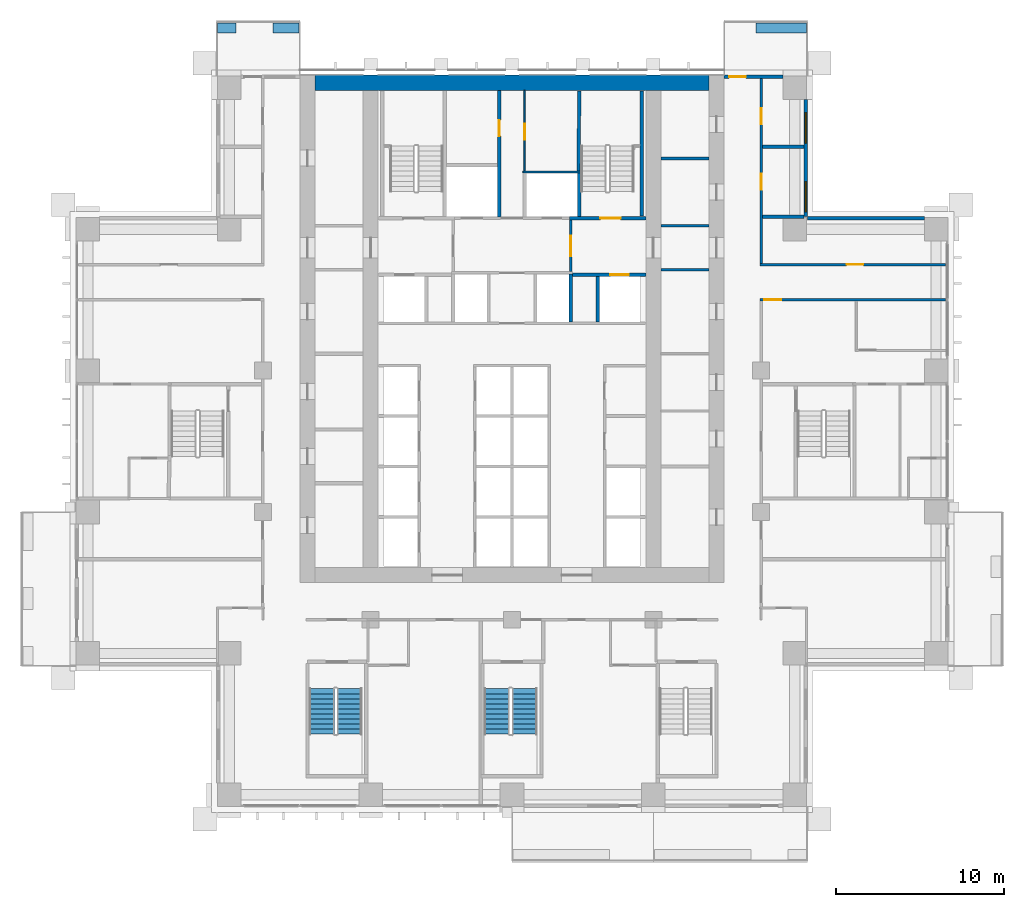
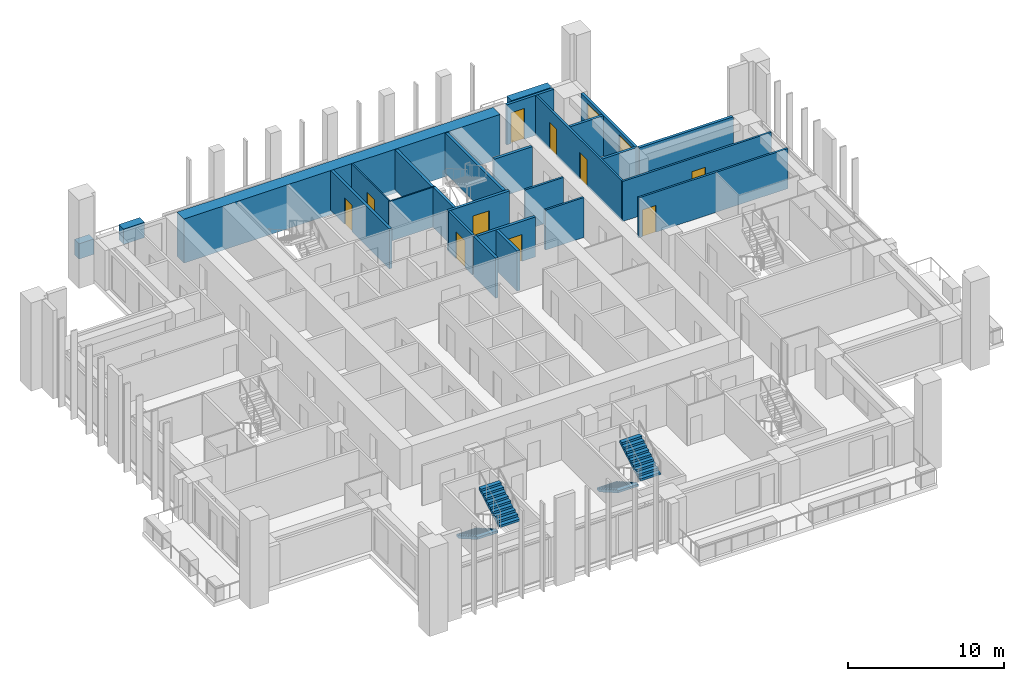
# One storey, part 13 of 19: 26 walls, 10 doors, 4 stair flights, 2 windows, 12 openings, 2 elements without a shape of their own.
"""IFC4 building model written with IfcOpenShell, lengths in metres."""

import ifcopenshell
import ifcopenshell.guid

model = None  # the IFC model being written
_history = None  # IfcOwnerHistory: only IFC2X3 demands one
_inside = {}  # id of a spatial element -> (the spatial element, [elements in it])
_under = {}  # id of a project, library or spatial element -> (it, [spatial elements below it])
_declared = {}  # id of a project -> (the project, [libraries it declares])
_typed = {}  # id of a type object -> (the type object, [elements of that type])
_made_of = {}  # id of a material, layer set ... -> (it, [elements and type objects made of it])


def new_model(schema):
    """Start an empty IFC model of exactly this schema.

    Asked for "IFC4X3", IfcOpenShell would pick the latest addendum, in which some entities
    have other attributes; the version numbers below select the first issue.
    IFC2X3 requires an IfcOwnerHistory on every rooted entity: one is made here for all.
    """
    global model, _history
    if schema == "IFC4X3":
        model = ifcopenshell.file(schema_version=(4, 3, 0, 0))
    else:
        model = ifcopenshell.file(schema=schema)
    _inside.clear()
    _under.clear()
    _declared.clear()
    _typed.clear()
    _made_of.clear()
    _history = None
    if model.schema == "IFC2X3":
        org = make("IfcOrganization", Name="unknown")
        user = make(
            "IfcPersonAndOrganization",
            ThePerson=make("IfcPerson", FamilyName="unknown"),
            TheOrganization=org,
        )
        app = make(
            "IfcApplication",
            ApplicationDeveloper=org,
            Version="unknown",
            ApplicationFullName="unknown",
            ApplicationIdentifier="unknown",
        )
        _history = make(
            "IfcOwnerHistory",
            OwningUser=user,
            OwningApplication=app,
            ChangeAction="ADDED",
            CreationDate=0,
        )
    return model


def make(cls, **values):
    """One entity of the class cls with the attributes given. An attribute that is None is left unset."""
    return model.create_entity(
        cls, **{name: value for name, value in values.items() if value is not None}
    )


def rooted(cls, **values):
    """An entity with a GlobalId (a new one), such as an element, a storey or a relation."""
    return make(cls, GlobalId=ifcopenshell.guid.new(), OwnerHistory=_history, **values)


def si_unit(unit_type, name, prefix=None):
    """IfcSIUnit, for example si_unit("LENGTHUNIT", "METRE", prefix="MILLI")."""
    return make("IfcSIUnit", UnitType=unit_type, Prefix=prefix, Name=name)


def assignment(units):
    """IfcUnitAssignment: the units of a project."""
    return None if units is None else make("IfcUnitAssignment", Units=units)


def point(xyz):
    """IfcCartesianPoint."""
    return None if xyz is None else make("IfcCartesianPoint", Coordinates=xyz)


def direction(xyz):
    """IfcDirection."""
    return None if xyz is None else make("IfcDirection", DirectionRatios=xyz)


def frame(location, z_axis=None, x_axis=None):
    """IfcAxis2Placement3D, a coordinate frame: its origin and axes. An axis left out is left unset."""
    return make(
        "IfcAxis2Placement3D",
        Location=point(location),
        Axis=direction(z_axis),
        RefDirection=direction(x_axis),
    )


def frame_2d(location, x_axis=None):
    """IfcAxis2Placement2D, a coordinate frame in the plane: its origin and x axis."""
    return make(
        "IfcAxis2Placement2D", Location=point(location), RefDirection=direction(x_axis)
    )


def origin():
    """The frame at (0, 0, 0) with its axes left unset."""
    return frame((0.0, 0.0, 0.0))


def place(relative_to, where):
    """IfcLocalPlacement: puts the frame where relative to a parent placement (None: the world)."""
    return make(
        "IfcLocalPlacement", PlacementRelTo=relative_to, RelativePlacement=where
    )


def context(
    kind, dimensions, precision=None, world=None, true_north=None, identifier=None
):
    """IfcGeometricRepresentationContext, for example the 3D "Model" context."""
    return make(
        "IfcGeometricRepresentationContext",
        ContextIdentifier=identifier,
        ContextType=kind,
        CoordinateSpaceDimension=dimensions,
        Precision=precision,
        WorldCoordinateSystem=world,
        TrueNorth=true_north,
    )


def subcontext(parent, identifier, kind, view, scale=None):
    """IfcGeometricRepresentationSubContext, for example "Body" below "Model"."""
    return make(
        "IfcGeometricRepresentationSubContext",
        ContextIdentifier=identifier,
        ContextType=kind,
        ParentContext=parent,
        TargetScale=scale,
        TargetView=view,
    )


def project(units=None, contexts=None):
    """IfcProject with its units and contexts."""
    return rooted(
        "IfcProject",
        Name="project",
        RepresentationContexts=contexts,
        UnitsInContext=assignment(units),
    )


def spatial(cls, under=None, at=None, **own):
    """A site, building, storey or space (cls), placed at a placement, below another one or the project."""
    s = rooted(cls, ObjectPlacement=at, **own)
    if under is not None:
        _under.setdefault(under.id(), (under, []))[1].append(s)
    return s


def polyline(points):
    """IfcPolyline through the points."""
    return make("IfcPolyline", Points=[point(p) for p in points])


def profile(cls, at=None, kind="AREA", **sizes):
    """A parametric profile (cls). Its sizes go by their IFC names, for example OverallWidth=200.0."""
    return make(cls, ProfileType=kind, Position=at, **sizes)


def rectangle(**sizes):
    """IfcRectangleProfileDef."""
    return profile("IfcRectangleProfileDef", **sizes)


def outline(outer, holes=None, kind="AREA"):
    """IfcArbitraryClosedProfileDef: a profile drawn as a closed curve; with holes, ...WithVoids."""
    if holes is None:
        return make("IfcArbitraryClosedProfileDef", ProfileType=kind, OuterCurve=outer)
    return make(
        "IfcArbitraryProfileDefWithVoids",
        ProfileType=kind,
        OuterCurve=outer,
        InnerCurves=holes,
    )


def extrude(swept, where, along, depth):
    """IfcExtrudedAreaSolid: the profile swept, set in the frame where, extruded along a direction by depth."""
    return make(
        "IfcExtrudedAreaSolid",
        SweptArea=swept,
        Position=where,
        ExtrudedDirection=direction(along),
        Depth=depth,
    )


def shape(context_of_items, identifier, shape_type, items):
    """IfcShapeRepresentation: the items that make up one representation, for example the "Body"."""
    return make(
        "IfcShapeRepresentation",
        ContextOfItems=context_of_items,
        RepresentationIdentifier=identifier,
        RepresentationType=shape_type,
        Items=items,
    )


def material(Name=None, Category=None):
    """IfcMaterial."""
    return make("IfcMaterial", Name=Name, Category=Category)


def layer(
    of_material, thickness, ventilated=None, Name=None, Category=None, Priority=None
):
    """IfcMaterialLayer: one layer of a wall or slab, of a material (None: an air gap)."""
    return make(
        "IfcMaterialLayer",
        Material=of_material,
        LayerThickness=thickness,
        IsVentilated=ventilated,
        Name=Name,
        Category=Category,
        Priority=Priority,
    )


def layer_set(layers, Name=None):
    """IfcMaterialLayerSet."""
    return make("IfcMaterialLayerSet", MaterialLayers=layers, LayerSetName=Name)


def made_of(thing, what):
    """Note that an element or type object is made of a material, layer set ...; save() writes the relation."""
    if what is not None:
        _made_of.setdefault(what.id(), (what, []))[1].append(thing)
    return thing


def type_object(cls, material=None, **own):
    """A type object (cls), such as IfcWallType, which elements share."""
    return made_of(rooted(cls, **own), material)


def element(
    cls,
    number,
    at=None,
    inside=None,
    cuts=None,
    type_object=None,
    material=None,
    context=None,
    identifier="Body",
    shape_type=None,
    held_by="IfcProductDefinitionShape",
    body=None,
    shapes=None,
    **own,
):
    """One element of the class cls, such as IfcWall. Its Tag is "e" and its number.

    at: its placement. inside: the storey or other place that contains it. cuts: it is an
    opening in that element (IfcRelVoidsElement). A single representation is given by context,
    identifier, shape_type and body (its items); several are given by shapes. held_by: the class
    of the entity that holds the representations. save() writes the other relations.
    """
    e = rooted(cls, Tag="e%d" % number, ObjectPlacement=at, **own)
    if body is not None:
        shapes = [shape(context, identifier, shape_type, body)]
    if shapes is not None:
        e.Representation = make(held_by, Representations=shapes)
    if inside is not None:
        _inside.setdefault(inside.id(), (inside, []))[1].append(e)
    if cuts is not None:
        rooted(
            "IfcRelVoidsElement", RelatingBuildingElement=cuts, RelatedOpeningElement=e
        )
    if type_object is not None:
        _typed.setdefault(type_object.id(), (type_object, []))[1].append(e)
    return made_of(e, material)


def fill(opening, filler):
    """IfcRelFillsElement: the door or window that sits in an opening."""
    return rooted(
        "IfcRelFillsElement",
        RelatingOpeningElement=opening,
        RelatedBuildingElement=filler,
    )


def aggregate(whole, parts):
    """IfcRelAggregates: a whole, such as a stair, and the parts it consists of."""
    return rooted("IfcRelAggregates", RelatingObject=whole, RelatedObjects=parts)


def save(model, path):
    """Write the relations noted so far, then the file.

    IfcRelAggregates (storeys below a building ...), IfcRelContainedInSpatialStructure (elements
    in a storey), IfcRelDefinesByType, IfcRelAssociatesMaterial and IfcRelDeclares: one each for
    every whole, place, type object, material and project.
    """
    for whole, parts in _under.values():
        aggregate(whole, parts)
    for where, things in _inside.values():
        rooted(
            "IfcRelContainedInSpatialStructure",
            RelatedElements=things,
            RelatingStructure=where,
        )
    for kind, things in _typed.values():
        rooted("IfcRelDefinesByType", RelatedObjects=things, RelatingType=kind)
    for what, things in _made_of.values():
        rooted("IfcRelAssociatesMaterial", RelatedObjects=things, RelatingMaterial=what)
    for by, libraries in _declared.values():
        rooted("IfcRelDeclares", RelatingContext=by, RelatedDefinitions=libraries)
    model.write(path)


model = new_model("IFC4")

# Units and contexts
model_context = context("Model", 3, precision=1e-05, world=origin(), true_north=direction((0.0, 1.0)))
body_context = subcontext(model_context, "Body", "Model", "MODEL_VIEW")
ifc_project = project(units=[si_unit("LENGTHUNIT", "METRE"), si_unit("AREAUNIT", "SQUARE_METRE"), si_unit("VOLUMEUNIT", "CUBIC_METRE"), si_unit("PLANEANGLEUNIT", "RADIAN"), si_unit("MASSUNIT", "GRAM", prefix="KILO")], contexts=[model_context])

# Site, building, storey
site_placement = place(None, origin())
site = spatial("IfcSite", under=ifc_project, at=site_placement, CompositionType="ELEMENT")
building_placement = place(site_placement, origin())
building = spatial("IfcBuilding", under=site, at=building_placement, Name="Vermilion Ogive Tower", CompositionType="ELEMENT")
storey_placement = place(building_placement, frame((0.0, 0.0, 62.10009765625)))
storey = spatial("IfcBuildingStorey", under=building, at=storey_placement, Name="L14", CompositionType="ELEMENT", Elevation=62.10009765625)

# Wall
ifc_material_1 = material(Name="Gypsum board partition on steel studs", Category="steel")
ifc_layer_1 = layer(ifc_material_1, 0.10009765625)
ifc_layer_set_1 = layer_set([ifc_layer_1], Name="Partition 100 bath")
wall_type_1 = type_object("IfcWallType", Name="Partition 100 bath", PredefinedType="PARTITIONING", material=ifc_layer_set_1)
wall_1_placement = place(storey_placement, frame((0.64990234375, 16.0, 0.0), z_axis=(0.0, 0.0, 1.0), x_axis=(1.0, 0.0, 0.0)))
element("IfcWall", 1, at=wall_1_placement, inside=storey, type_object=wall_type_1, Name="L14-CK-W-W020", PredefinedType="PARTITIONING", context=body_context, shape_type="SweptSolid", body=[
    extrude(rectangle(XDim=3.4501953125, YDim=0.10009765625, at=frame_2d((1.72509765625, 0.0))), origin(), (0.0, 0.0, 1.0), 3.1298828125),
])

# Wall, opening, door
wall_2_placement = place(storey_placement, frame((0.75, 16.050048828125, 0.0), z_axis=(0.0, 0.0, 1.0), x_axis=(0.0, 1.0, 0.0)))
wall_2 = element("IfcWall", 2, at=wall_2_placement, inside=storey, type_object=wall_type_1, Name="L14-CK-W-W032", PredefinedType="PARTITIONING", context=body_context, shape_type="SweptSolid", body=[
    extrude(rectangle(XDim=4.799072265625, YDim=0.10009765625, at=frame_2d((2.3994140625, 0.0))), origin(), (0.0, 0.0, 1.0), 3.1298828125),
])
opening_1_placement = place(wall_2_placement, frame((1.875, 0.0, 0.0)))
opening_1 = element("IfcOpeningElement", 3, at=opening_1_placement, cuts=wall_2, Name="Opening DAA099", PredefinedType="OPENING", context=body_context, shape_type="SweptSolid", body=[
    extrude(rectangle(XDim=0.949951171875, YDim=2.10009765625, at=frame_2d((0.47509765625, 1.050048828125))), frame((0.0, 0.06005859375, 0.0), z_axis=(0.0, -1.0, 0.0), x_axis=(1.0, 0.0, 0.0)), (0.0, 0.0, 1.0), 0.1201171875),
])
ifc_material_2 = material(Name="Timber door leaf", Category="wood")
door_type_1 = type_object("IfcDoorType", Name="Service door 950 x 2100 FD60", OperationType="SINGLE_SWING_LEFT", PredefinedType="DOOR", material=ifc_material_2)
door_1_placement = place(opening_1_placement, origin())
door_1 = element("IfcDoor", 4, at=door_1_placement, inside=storey, type_object=door_type_1, Name="L14-CK-D-D021", OperationType="SINGLE_SWING_LEFT", OverallHeight=2.10009765625, OverallWidth=0.949951171875, PredefinedType="DOOR", context=body_context, shape_type="SweptSolid", body=[
    extrude(rectangle(XDim=0.949951171875, YDim=2.10009765625, at=frame_2d((0.47509765625, 1.050048828125))), frame((0.0, 0.02490234375, 0.0), z_axis=(0.0, -1.0, 0.0), x_axis=(1.0, 0.0, 0.0)), (0.0, 0.0, 1.0), 0.050048828125),
])
fill(opening_1, door_1)

ifc_material_3 = material(Name="Gypsum board partition on steel studs", Category="steel")
ifc_layer_2 = layer(ifc_material_3, 0.14990234375)
ifc_layer_set_2 = layer_set([ifc_layer_2], Name="Partition 150 corridor")
wall_type_2 = type_object("IfcWallType", Name="Partition 150 corridor", PredefinedType="PARTITIONING", material=ifc_layer_set_2)
wall_3_placement = place(storey_placement, frame((14.72509765625, 8.39990234375, 0.0), z_axis=(0.0, 0.0, 1.0), x_axis=(1.0, 0.0, 0.0)))
wall_3 = element("IfcWall", 5, at=wall_3_placement, inside=storey, type_object=wall_type_2, Name="L14-W-W029", PredefinedType="PARTITIONING", context=body_context, shape_type="SweptSolid", body=[
    extrude(rectangle(XDim=11.02490234375, YDim=0.14990234375, at=frame_2d((5.512451171875, 0.0))), origin(), (0.0, 0.0, 1.0), 3.1298828125),
])
opening_2_placement = place(wall_3_placement, frame((0.27490234375, 0.0, 0.0)))
opening_2 = element("IfcOpeningElement", 6, at=opening_2_placement, cuts=wall_3, Name="Opening D1G5016", PredefinedType="OPENING", context=body_context, shape_type="SweptSolid", body=[
    extrude(rectangle(XDim=1.0, YDim=2.10009765625, at=frame_2d((0.5, 1.050048828125))), frame((0.0, 0.0849609375, 0.0), z_axis=(0.0, -1.0, 0.0), x_axis=(1.0, 0.0, 0.0)), (0.0, 0.0, 1.0), 0.169921875),
])
ifc_material_4 = material(Name="Timber door leaf", Category="wood")
door_type_2 = type_object("IfcDoorType", Name="Unit door 1000 x 2100 FD30S", OperationType="SINGLE_SWING_LEFT", PredefinedType="DOOR", material=ifc_material_4)
door_2_placement = place(opening_2_placement, origin())
door_2 = element("IfcDoor", 7, at=door_2_placement, inside=storey, type_object=door_type_2, Name="L14-D-D016", OperationType="SINGLE_SWING_RIGHT", OverallHeight=2.10009765625, OverallWidth=1.0, PredefinedType="DOOR", context=body_context, shape_type="SweptSolid", body=[
    extrude(rectangle(XDim=1.0, YDim=2.10009765625, at=frame_2d((0.5, 1.050048828125))), frame((0.0, 0.02490234375, 0.0), z_axis=(0.0, -1.0, 0.0), x_axis=(1.0, 0.0, 0.0)), (0.0, 0.0, 1.0), 0.050048828125),
])
fill(opening_2, door_2)

wall_4_placement = place(storey_placement, frame((14.72509765625, 10.5, 0.0), z_axis=(0.0, 0.0, 1.0), x_axis=(1.0, 0.0, 0.0)))
wall_4 = element("IfcWall", 8, at=wall_4_placement, inside=storey, type_object=wall_type_2, Name="L14-W-W031", PredefinedType="PARTITIONING", context=body_context, shape_type="SweptSolid", body=[
    extrude(rectangle(XDim=11.02490234375, YDim=0.14990234375, at=frame_2d((5.512451171875, 0.0))), origin(), (0.0, 0.0, 1.0), 3.1298828125),
])
opening_3_placement = place(wall_4_placement, frame((5.14990234375, 0.0, 0.0)))
opening_3 = element("IfcOpeningElement", 9, at=opening_3_placement, cuts=wall_4, Name="Opening D1G5034", PredefinedType="OPENING", context=body_context, shape_type="SweptSolid", body=[
    extrude(rectangle(XDim=1.0, YDim=2.10009765625, at=frame_2d((0.5, 1.050048828125))), frame((0.0, 0.0849609375, 0.0), z_axis=(0.0, -1.0, 0.0), x_axis=(1.0, 0.0, 0.0)), (0.0, 0.0, 1.0), 0.169921875),
])
door_3_placement = place(opening_3_placement, origin())
door_3 = element("IfcDoor", 10, at=door_3_placement, inside=storey, type_object=door_type_2, Name="L14-D-D034", OperationType="SINGLE_SWING_RIGHT", OverallHeight=2.10009765625, OverallWidth=1.0, PredefinedType="DOOR", context=body_context, shape_type="SweptSolid", body=[
    extrude(rectangle(XDim=1.0, YDim=2.10009765625, at=frame_2d((0.5, 1.050048828125))), frame((0.0, 0.02490234375, 0.0), z_axis=(0.0, -1.0, 0.0), x_axis=(1.0, 0.0, 0.0)), (0.0, 0.0, 1.0), 0.050048828125),
])
fill(opening_3, door_3)

# Wall, openings, doors
wall_5_placement = place(storey_placement, frame((14.800048828125, 10.574951171875, 0.0), z_axis=(0.0, 0.0, 1.0), x_axis=(0.0, 1.0, 0.0)))
wall_5 = element("IfcWall", 11, at=wall_5_placement, inside=storey, type_object=wall_type_2, Name="L14-W-W054", PredefinedType="PARTITIONING", context=body_context, shape_type="SweptSolid", body=[
    extrude(rectangle(XDim=10.97509765625, YDim=0.14990234375, at=frame_2d((5.487548828125, 0.0))), origin(), (0.0, 0.0, 1.0), 3.1298828125),
])
opening_4_placement = place(wall_5_placement, frame((4.375, 0.0, 0.0)))
opening_4 = element("IfcOpeningElement", 12, at=opening_4_placement, cuts=wall_5, Name="Opening D1G5019", PredefinedType="OPENING", context=body_context, shape_type="SweptSolid", body=[
    extrude(rectangle(XDim=0.949951171875, YDim=2.10009765625, at=frame_2d((0.47509765625, 1.050048828125))), frame((0.0, 0.0849609375, 0.0), z_axis=(0.0, -1.0, 0.0), x_axis=(1.0, 0.0, 0.0)), (0.0, 0.0, 1.0), 0.169921875),
])
opening_5_placement = place(wall_5_placement, frame((8.275146484375, 0.0, 0.0)))
opening_5 = element("IfcOpeningElement", 13, at=opening_5_placement, cuts=wall_5, Name="Opening D1G5020", PredefinedType="OPENING", context=body_context, shape_type="SweptSolid", body=[
    extrude(rectangle(XDim=0.949951171875, YDim=2.10009765625, at=frame_2d((0.47509765625, 1.050048828125))), frame((0.0, 0.0849609375, 0.0), z_axis=(0.0, -1.0, 0.0), x_axis=(1.0, 0.0, 0.0)), (0.0, 0.0, 1.0), 0.169921875),
])
ifc_material_5 = material(Name="Timber door leaf", Category="wood")
door_type_3 = type_object("IfcDoorType", Name="Unit door 950 x 2100 FD30S", OperationType="SINGLE_SWING_LEFT", PredefinedType="DOOR", material=ifc_material_5)
door_4_placement = place(opening_4_placement, origin())
door_4 = element("IfcDoor", 14, at=door_4_placement, inside=storey, type_object=door_type_3, Name="L14-D-D019", OperationType="SINGLE_SWING_RIGHT", OverallHeight=2.10009765625, OverallWidth=0.949951171875, PredefinedType="DOOR", context=body_context, shape_type="SweptSolid", body=[
    extrude(rectangle(XDim=0.949951171875, YDim=2.10009765625, at=frame_2d((0.47509765625, 1.050048828125))), frame((0.0, 0.02490234375, 0.0), z_axis=(0.0, -1.0, 0.0), x_axis=(1.0, 0.0, 0.0)), (0.0, 0.0, 1.0), 0.050048828125),
])
fill(opening_4, door_4)
door_5_placement = place(opening_5_placement, origin())
door_5 = element("IfcDoor", 15, at=door_5_placement, inside=storey, type_object=door_type_3, Name="L14-D-D020", OperationType="SINGLE_SWING_LEFT", OverallHeight=2.10009765625, OverallWidth=0.949951171875, PredefinedType="DOOR", context=body_context, shape_type="SweptSolid", body=[
    extrude(rectangle(XDim=0.949951171875, YDim=2.10009765625, at=frame_2d((0.47509765625, 1.050048828125))), frame((0.0, 0.02490234375, 0.0), z_axis=(0.0, -1.0, 0.0), x_axis=(1.0, 0.0, 0.0)), (0.0, 0.0, 1.0), 0.050048828125),
])
fill(opening_5, door_5)

# Wall, opening, door
wall_6_placement = place(storey_placement, frame((3.5, 10.074951171875, 0.0), z_axis=(0.0, 0.0, 1.0), x_axis=(0.0, 1.0, 0.0)))
wall_6 = element("IfcWall", 16, at=wall_6_placement, inside=storey, type_object=wall_type_2, Name="L14-CK-W-W036", PredefinedType="PARTITIONING", context=body_context, shape_type="SweptSolid", body=[
    extrude(rectangle(XDim=3.074951171875, YDim=0.14990234375, at=frame_2d((1.53759765625, 0.0))), origin(), (0.0, 0.0, 1.0), 3.1298828125),
])
opening_6_placement = place(wall_6_placement, frame((0.925048828125, 0.0, 0.0)))
opening_6 = element("IfcOpeningElement", 17, at=opening_6_placement, cuts=wall_6, Name="Opening DAA092", PredefinedType="OPENING", context=body_context, shape_type="SweptSolid", body=[
    extrude(rectangle(XDim=1.199951171875, YDim=2.10009765625, at=frame_2d((0.60009765625, 1.050048828125))), frame((0.0, 0.0849609375, 0.0), z_axis=(0.0, -1.0, 0.0), x_axis=(1.0, 0.0, 0.0)), (0.0, 0.0, 1.0), 0.169921875),
])
ifc_material_6 = material(Name="Timber door leaf", Category="wood")
door_type_4 = type_object("IfcDoorType", Name="Lobby door 1200 x 2100 FD60S", OperationType="SINGLE_SWING_LEFT", PredefinedType="DOOR", material=ifc_material_6)
door_6_placement = place(opening_6_placement, origin())
door_6 = element("IfcDoor", 18, at=door_6_placement, inside=storey, type_object=door_type_4, Name="L14-CK-D-D023", OperationType="SINGLE_SWING_LEFT", OverallHeight=2.10009765625, OverallWidth=1.199951171875, PredefinedType="DOOR", context=body_context, shape_type="SweptSolid", body=[
    extrude(rectangle(XDim=1.199951171875, YDim=2.10009765625, at=frame_2d((0.60009765625, 1.050048828125))), frame((0.0, 0.02490234375, 0.0), z_axis=(0.0, -1.0, 0.0), x_axis=(1.0, 0.0, 0.0)), (0.0, 0.0, 1.0), 0.050048828125),
])
fill(opening_6, door_6)

# Walls
for number, where, z_axis, x_axis, name in (
    (19, (8.85107421875, 10.199951171875, 0.0), (0.0, 0.0, 1.0), (1.0, 0.0, 0.0), "L14-CKE-W-W004"),
    (20, (8.85107421875, 12.800048828125, 0.0), (0.0, 0.0, 1.0), (1.0, 0.0, 0.0), "L14-CKE-W-W005"),
):
    element("IfcWall", number, at=place(storey_placement, frame(where, z_axis=z_axis, x_axis=x_axis)), inside=storey, type_object=wall_type_2, Name=name, PredefinedType="PARTITIONING", context=body_context, shape_type="SweptSolid", body=[
        extrude(rectangle(XDim=2.847900390625, YDim=0.14990234375, at=frame_2d((1.423828125, 0.0))), origin(), (0.0, 0.0, 1.0), 3.1298828125),
    ])
ifc_material_7 = material(Name="Gypsum board partition on steel studs", Category="steel")
ifc_layer_3 = layer(ifc_material_7, 0.199951171875)
ifc_layer_set_3 = layer_set([ifc_layer_3], Name="Partition 200 party")
wall_type_3 = type_object("IfcWallType", Name="Partition 200 party", PredefinedType="PARTITIONING", material=ifc_layer_set_3)
for number, where, z_axis, x_axis, name in (
    (21, (14.875, 13.35009765625, 0.0), (0.0, 0.0, 1.0), (1.0, 0.0, 0.0), "L14-W-W033"),
    (22, (14.875, 17.5, 0.0), (0.0, 0.0, 1.0), (1.0, 0.0, 0.0), "L14-W-W035"),
):
    element("IfcWall", number, at=place(storey_placement, frame(where, z_axis=z_axis, x_axis=x_axis)), inside=storey, type_object=wall_type_3, Name=name, PredefinedType="PARTITIONING", context=body_context, shape_type="SweptSolid", body=[
        extrude(rectangle(XDim=2.47509765625, YDim=0.199951171875, at=frame_2d((1.237548828125, 0.0))), origin(), (0.0, 0.0, 1.0), 3.1298828125),
    ])

# Wall, opening, door
wall_7_placement = place(storey_placement, frame((3.60009765625, 9.89990234375, 0.0), z_axis=(0.0, 0.0, 1.0), x_axis=(1.0, 0.0, 0.0)))
wall_7 = element("IfcWall", 23, at=wall_7_placement, inside=storey, type_object=wall_type_3, Name="L14-CK-W-W015", PredefinedType="PARTITIONING", context=body_context, shape_type="SweptSolid", body=[
    extrude(rectangle(XDim=4.348876953125, YDim=0.199951171875, at=frame_2d((2.17431640625, 0.0))), origin(), (0.0, 0.0, 1.0), 3.1298828125),
])
opening_7_placement = place(wall_7_placement, frame((2.25, 0.0, 0.0)))
opening_7 = element("IfcOpeningElement", 24, at=opening_7_placement, cuts=wall_7, Name="Opening DAA103", PredefinedType="OPENING", context=body_context, shape_type="SweptSolid", body=[
    extrude(rectangle(XDim=1.10009765625, YDim=2.10009765625, at=frame_2d((0.550048828125, 1.050048828125))), frame((0.0, 0.10986328125, 0.0), z_axis=(0.0, -1.0, 0.0), x_axis=(1.0, 0.0, 0.0)), (0.0, 0.0, 1.0), 0.219970703125),
])
ifc_material_8 = material(Name="Stainless steel", Category="steel")
door_type_5 = type_object("IfcDoorType", Name="Lift landing door 1100 x 2100", OperationType="SLIDING_TO_LEFT", PredefinedType="DOOR", material=ifc_material_8)
door_7_placement = place(opening_7_placement, origin())
door_7 = element("IfcDoor", 25, at=door_7_placement, inside=storey, type_object=door_type_5, Name="L14-CK-D-D014", OperationType="SLIDING_TO_LEFT", OverallHeight=2.10009765625, OverallWidth=1.10009765625, PredefinedType="DOOR", context=body_context, shape_type="SweptSolid", body=[
    extrude(rectangle(XDim=1.10009765625, YDim=2.10009765625, at=frame_2d((0.550048828125, 1.050048828125))), frame((0.0, 0.02490234375, 0.0), z_axis=(0.0, -1.0, 0.0), x_axis=(1.0, 0.0, 0.0)), (0.0, 0.0, 1.0), 0.050048828125),
])
fill(opening_7, door_7)

wall_8_placement = place(storey_placement, frame((-0.75, 13.324951171875, 0.0), z_axis=(0.0, 0.0, 1.0), x_axis=(0.0, 1.0, 0.0)))
wall_8 = element("IfcWall", 26, at=wall_8_placement, inside=storey, type_object=wall_type_3, Name="L14-CK-W-W029", PredefinedType="PARTITIONING", context=body_context, shape_type="SweptSolid", body=[
    extrude(rectangle(XDim=7.524169921875, YDim=0.199951171875, at=frame_2d((3.76220703125, 0.0))), origin(), (0.0, 0.0, 1.0), 3.1298828125),
])
opening_8_placement = place(wall_8_placement, frame((4.800048828125, 0.0, 0.0)))
opening_8 = element("IfcOpeningElement", 27, at=opening_8_placement, cuts=wall_8, Name="Opening DAA098", PredefinedType="OPENING", context=body_context, shape_type="SweptSolid", body=[
    extrude(rectangle(XDim=0.949951171875, YDim=2.10009765625, at=frame_2d((0.47509765625, 1.050048828125))), frame((0.0, 0.10986328125, 0.0), z_axis=(0.0, -1.0, 0.0), x_axis=(1.0, 0.0, 0.0)), (0.0, 0.0, 1.0), 0.219970703125),
])
door_8_placement = place(opening_8_placement, origin())
door_8 = element("IfcDoor", 28, at=door_8_placement, inside=storey, type_object=door_type_1, Name="L14-CK-D-D020", OperationType="SINGLE_SWING_RIGHT", OverallHeight=2.10009765625, OverallWidth=0.949951171875, PredefinedType="DOOR", context=body_context, shape_type="SweptSolid", body=[
    extrude(rectangle(XDim=0.949951171875, YDim=2.10009765625, at=frame_2d((0.47509765625, 1.050048828125))), frame((0.0, 0.02490234375, 0.0), z_axis=(0.0, -1.0, 0.0), x_axis=(1.0, 0.0, 0.0)), (0.0, 0.0, 1.0), 0.050048828125),
])
fill(opening_8, door_8)

# Walls
wall_9_placement = place(storey_placement, frame((3.5, 7.074951171875, 0.0), z_axis=(0.0, 0.0, 1.0), x_axis=(0.0, 1.0, 0.0)))
element("IfcWall", 29, at=wall_9_placement, inside=storey, type_object=wall_type_3, Name="L14-CK-W-W035", PredefinedType="PARTITIONING", context=body_context, shape_type="SweptSolid", body=[
    extrude(rectangle(XDim=2.85009765625, YDim=0.199951171875, at=frame_2d((1.425048828125, 0.0))), origin(), (0.0, 0.0, 1.0), 3.1298828125),
])
wall_10_placement = place(storey_placement, frame((5.10009765625, 7.074951171875, 0.0), z_axis=(0.0, 0.0, 1.0), x_axis=(0.0, 1.0, 0.0)))
element("IfcWall", 30, at=wall_10_placement, inside=storey, type_object=wall_type_3, Name="L14-CK-W-W039", PredefinedType="PARTITIONING", context=body_context, shape_type="SweptSolid", body=[
    extrude(rectangle(XDim=2.72509765625, YDim=0.199951171875, at=frame_2d((1.362548828125, 0.0))), origin(), (0.0, 0.0, 1.0), 3.1298828125),
])
wall_11_placement = place(storey_placement, frame((8.85107421875, 16.800048828125, 0.0), z_axis=(0.0, 0.0, 1.0), x_axis=(1.0, 0.0, 0.0)))
element("IfcWall", 31, at=wall_11_placement, inside=storey, type_object=wall_type_3, Name="L14-CKE-W-W006", PredefinedType="PARTITIONING", context=body_context, shape_type="SweptSolid", body=[
    extrude(rectangle(XDim=2.847900390625, YDim=0.199951171875, at=frame_2d((1.423828125, 0.0))), origin(), (0.0, 0.0, 1.0), 3.1298828125),
])
ifc_material_9 = material(Name="Concrete B60", Category="concrete")
ifc_layer_4 = layer(ifc_material_9, 0.199951171875)
ifc_layer_set_4 = layer_set([ifc_layer_4], Name="Stair shaft wall 200 Concrete B60")
wall_type_4 = type_object("IfcWallType", Name="Stair shaft wall 200 Concrete B60", PredefinedType="SOLIDWALL", material=ifc_layer_set_4)
wall_12_placement = place(storey_placement, frame((-11.699951171875, 21.300048828125, -0.320068359375), z_axis=(0.0, 0.0, 1.0), x_axis=(1.0, 0.0, 0.0)))
element("IfcWall", 32, at=wall_12_placement, inside=storey, type_object=wall_type_4, Name="L14-CORE-N", PredefinedType="SOLIDWALL", context=body_context, shape_type="SweptSolid", body=[
    extrude(rectangle(XDim=23.39990234375, YDim=0.89990234375, at=frame_2d((11.699951171875, 0.0))), origin(), (0.0, 0.0, 1.0), 3.449951171875),
])

# Wall, opening, door
wall_13_placement = place(storey_placement, frame((3.425048828125, 13.25, 0.0), z_axis=(0.0, 0.0, 1.0), x_axis=(1.0, 0.0, 0.0)))
wall_13 = element("IfcWall", 33, at=wall_13_placement, inside=storey, type_object=wall_type_4, Name="L14-CK-W-W019", PredefinedType="SOLIDWALL", context=body_context, shape_type="SweptSolid", body=[
    extrude(rectangle(XDim=4.52392578125, YDim=0.199951171875, at=frame_2d((2.261962890625, 0.0))), origin(), (0.0, 0.0, 1.0), 3.1298828125),
])
opening_9_placement = place(wall_13_placement, frame((1.824951171875, 0.0, 0.0)))
opening_9 = element("IfcOpeningElement", 34, at=opening_9_placement, cuts=wall_13, Name="Opening DAA101", PredefinedType="OPENING", context=body_context, shape_type="SweptSolid", body=[
    extrude(rectangle(XDim=1.199951171875, YDim=2.10009765625, at=frame_2d((0.60009765625, 1.050048828125))), frame((0.0, 0.10986328125, 0.0), z_axis=(0.0, -1.0, 0.0), x_axis=(1.0, 0.0, 0.0)), (0.0, 0.0, 1.0), 0.219970703125),
])
ifc_material_10 = material(Name="Timber door leaf", Category="wood")
door_type_6 = type_object("IfcDoorType", Name="Stair door 1200 x 2100 FD60S", OperationType="SINGLE_SWING_LEFT", PredefinedType="DOOR", material=ifc_material_10)
door_9_placement = place(opening_9_placement, origin())
door_9 = element("IfcDoor", 35, at=door_9_placement, inside=storey, type_object=door_type_6, Name="L14-CK-D-D013", OperationType="SINGLE_SWING_RIGHT", OverallHeight=2.10009765625, OverallWidth=1.199951171875, PredefinedType="DOOR", context=body_context, shape_type="SweptSolid", body=[
    extrude(rectangle(XDim=1.199951171875, YDim=2.10009765625, at=frame_2d((0.60009765625, 1.050048828125))), frame((0.0, 0.02490234375, 0.0), z_axis=(0.0, -1.0, 0.0), x_axis=(1.0, 0.0, 0.0)), (0.0, 0.0, 1.0), 0.050048828125),
])
fill(opening_9, door_9)

# Walls
wall_14_placement = place(storey_placement, frame((4.0, 13.35009765625, 0.0), z_axis=(0.0, 0.0, 1.0), x_axis=(0.0, 1.0, 0.0)))
element("IfcWall", 36, at=wall_14_placement, inside=storey, type_object=wall_type_4, Name="L14-CK-W-W037", PredefinedType="SOLIDWALL", context=body_context, shape_type="SweptSolid", body=[
    extrude(rectangle(XDim=2.599853515625, YDim=0.199951171875, at=frame_2d((1.2998046875, 0.0))), origin(), (0.0, 0.0, 1.0), 3.1298828125),
])
wall_15_placement = place(storey_placement, frame((3.949951171875, 16.050048828125, 0.0), z_axis=(0.0, 0.0, 1.0), x_axis=(0.010538176883, 0.999944471872, 0.0)))
element("IfcWall", 37, at=wall_15_placement, inside=storey, type_object=wall_type_4, Name="L14-CK-W-W038", PredefinedType="SOLIDWALL", context=body_context, shape_type="SweptSolid", body=[
    extrude(rectangle(XDim=4.749267578125, YDim=0.199951171875, at=frame_2d((2.37451171875, 0.0))), origin(), (0.0, 0.0, 1.0), 3.1298828125),
])
wall_16_placement = place(storey_placement, frame((7.699951171875, 13.39990234375, 0.0), z_axis=(0.0, 0.0, 1.0), x_axis=(0.0, 1.0, 0.0)))
element("IfcWall", 38, at=wall_16_placement, inside=storey, type_object=wall_type_4, Name="L14-SW-R025-E1", PredefinedType="SOLIDWALL", context=body_context, shape_type="SweptSolid", body=[
    extrude(rectangle(XDim=7.400146484375, YDim=0.199951171875, at=frame_2d((3.7001953125, 0.0))), origin(), (0.0, 0.0, 1.0), 3.1298828125),
])
ifc_material_11 = material(Name="Concrete B40", Category="concrete")
ifc_layer_5 = layer(ifc_material_11, 0.60009765625)
ifc_layer_set_5 = layer_set([ifc_layer_5], Name="Structural planter")
wall_type_5 = type_object("IfcWallType", Name="Structural planter", PredefinedType="USERDEFINED", material=ifc_layer_set_5)
wall_17_placement = place(storey_placement, frame((17.489990234375, 24.550048828125, -0.0400390625), z_axis=(0.0, 0.0, 1.0), x_axis=(-1.0, 0.0, 0.0)))
element("IfcWall", 39, at=wall_17_placement, inside=storey, type_object=wall_type_5, Name="Planter N101A1", ObjectType="PLANTER", PredefinedType="USERDEFINED", context=body_context, shape_type="SweptSolid", body=[
    extrude(rectangle(XDim=2.989990234375, YDim=0.60009765625, at=frame_2d((1.4951171875, 0.0))), origin(), (0.0, 0.0, 1.0), 1.199951171875),
])
wall_18_placement = place(storey_placement, frame((-12.659912109375, 24.550048828125, -0.0400390625), z_axis=(0.0, 0.0, 1.0), x_axis=(-1.0, 0.0, 0.0)))
element("IfcWall", 40, at=wall_18_placement, inside=storey, type_object=wall_type_5, Name="Planter N201A1", ObjectType="PLANTER", PredefinedType="USERDEFINED", context=body_context, shape_type="SweptSolid", body=[
    extrude(rectangle(XDim=1.5400390625, YDim=0.60009765625, at=frame_2d((0.77001953125, 0.0))), origin(), (0.0, 0.0, 1.0), 1.199951171875),
])
wall_19_placement = place(storey_placement, frame((-16.39990234375, 24.550048828125, -0.0400390625), z_axis=(0.0, 0.0, 1.0), x_axis=(-1.0, 0.0, 0.0)))
element("IfcWall", 41, at=wall_19_placement, inside=storey, type_object=wall_type_5, Name="Planter N201A2", ObjectType="PLANTER", PredefinedType="USERDEFINED", context=body_context, shape_type="SweptSolid", body=[
    extrude(rectangle(XDim=1.090087890625, YDim=0.60009765625, at=frame_2d((0.544921875, 0.0))), origin(), (0.0, 0.0, 1.0), 1.199951171875),
])
ifc_material_12 = material(Name="Aluminium window wall framing", Category="aluminium")
ifc_layer_6 = layer(ifc_material_12, 0.199951171875)
ifc_layer_set_6 = layer_set([ifc_layer_6], Name="Window wall")
wall_type_6 = type_object("IfcWallType", Name="Window wall", PredefinedType="STANDARD", material=ifc_layer_set_6)
wall_20_placement = place(storey_placement, frame((24.5, 13.25, 0.0), z_axis=(0.0, 0.0, 1.0), x_axis=(-1.0, 0.0, 0.0)))
element("IfcWall", 42, at=wall_20_placement, inside=storey, type_object=wall_type_6, Name="Window wall X31", PredefinedType="STANDARD", context=body_context, shape_type="SweptSolid", body=[
    extrude(rectangle(XDim=6.949951171875, YDim=0.199951171875, at=frame_2d((3.47509765625, 0.0))), origin(), (0.0, 0.0, 1.0), 3.1298828125),
])

# Wall, openings, windows
wall_21_placement = place(storey_placement, frame((17.449951171875, 13.35009765625, 0.0), z_axis=(0.0, 0.0, 1.0), x_axis=(0.0, 1.0, 0.0)))
wall_21 = element("IfcWall", 43, at=wall_21_placement, inside=storey, type_object=wall_type_6, Name="Window wall X41", PredefinedType="STANDARD", context=body_context, shape_type="SweptSolid", body=[
    extrude(rectangle(XDim=6.949951171875, YDim=0.199951171875, at=frame_2d((3.47509765625, 0.0))), origin(), (0.0, 0.0, 1.0), 3.1298828125),
])
opening_10_placement = place(wall_21_placement, frame((0.27490234375, 0.0, 0.199951171875)))
opening_10 = element("IfcOpeningElement", 44, at=opening_10_placement, cuts=wall_21, Name="Opening W1-X403", PredefinedType="OPENING", context=body_context, shape_type="SweptSolid", body=[
    extrude(rectangle(XDim=1.800048828125, YDim=2.64990234375, at=frame_2d((0.89990234375, 1.324951171875))), frame((0.0, 0.10986328125, 0.0), z_axis=(0.0, -1.0, 0.0), x_axis=(1.0, 0.0, 0.0)), (0.0, 0.0, 1.0), 0.219970703125),
])
opening_11_placement = place(wall_21_placement, frame((4.3701171875, 0.0, 0.199951171875)))
opening_11 = element("IfcOpeningElement", 45, at=opening_11_placement, cuts=wall_21, Name="Opening W1-X404", PredefinedType="OPENING", context=body_context, shape_type="SweptSolid", body=[
    extrude(rectangle(XDim=1.800048828125, YDim=2.64990234375, at=frame_2d((0.89990234375, 1.324951171875))), frame((0.0, 0.10986328125, 0.0), z_axis=(0.0, -1.0, 0.0), x_axis=(1.0, 0.0, 0.0)), (0.0, 0.0, 1.0), 0.219970703125),
])
ifc_material_13 = material(Name="Aluminium framed double glazing", Category="aluminium")
window_type = type_object("IfcWindowType", Name="Guest window W1", PartitioningType="SINGLE_PANEL", PredefinedType="WINDOW", material=ifc_material_13)
window_1_placement = place(opening_10_placement, origin())
window_1 = element("IfcWindow", 46, at=window_1_placement, inside=storey, type_object=window_type, Name="Window X403", OverallHeight=2.64990234375, OverallWidth=1.800048828125, PartitioningType="SINGLE_PANEL", PredefinedType="WINDOW", context=body_context, shape_type="SweptSolid", body=[
    extrude(rectangle(XDim=1.800048828125, YDim=2.64990234375, at=frame_2d((0.89990234375, 1.324951171875))), frame((0.0, 0.030029296875, 0.0), z_axis=(0.0, -1.0, 0.0), x_axis=(1.0, 0.0, 0.0)), (0.0, 0.0, 1.0), 0.06005859375),
])
fill(opening_10, window_1)
window_2_placement = place(opening_11_placement, origin())
window_2 = element("IfcWindow", 47, at=window_2_placement, inside=storey, type_object=window_type, Name="Window X404", OverallHeight=2.64990234375, OverallWidth=1.800048828125, PartitioningType="SINGLE_PANEL", PredefinedType="WINDOW", context=body_context, shape_type="SweptSolid", body=[
    extrude(rectangle(XDim=1.800048828125, YDim=2.64990234375, at=frame_2d((0.89990234375, 1.324951171875))), frame((0.0, 0.030029296875, 0.0), z_axis=(0.0, -1.0, 0.0), x_axis=(1.0, 0.0, 0.0)), (0.0, 0.0, 1.0), 0.06005859375),
])
fill(opening_11, window_2)

# Wall, opening, door
wall_22_placement = place(storey_placement, frame((16.10009765625, 21.64990234375, 0.0), z_axis=(0.0, 0.0, 1.0), x_axis=(-1.0, 0.0, 0.0)))
wall_22 = element("IfcWall", 48, at=wall_22_placement, inside=storey, type_object=wall_type_6, Name="Window wall N11", PredefinedType="STANDARD", context=body_context, shape_type="SweptSolid", body=[
    extrude(rectangle(XDim=3.5, YDim=0.199951171875, at=frame_2d((1.75, 0.0))), origin(), (0.0, 0.0, 1.0), 3.1298828125),
])
opening_12_placement = place(wall_22_placement, frame((2.199951171875, 0.0, 0.0)))
opening_12 = element("IfcOpeningElement", 49, at=opening_12_placement, cuts=wall_22, Name="Opening D1-N103", PredefinedType="OPENING", context=body_context, shape_type="SweptSolid", body=[
    extrude(rectangle(XDim=1.0, YDim=2.39990234375, at=frame_2d((0.5, 1.199951171875))), frame((0.0, 0.10986328125, 0.0), z_axis=(0.0, -1.0, 0.0), x_axis=(1.0, 0.0, 0.0)), (0.0, 0.0, 1.0), 0.219970703125),
])
ifc_material_14 = material(Name="Aluminium framed glazed door", Category="aluminium")
door_type_7 = type_object("IfcDoorType", Name="Balcony door D1", OperationType="SINGLE_SWING_LEFT", PredefinedType="DOOR", material=ifc_material_14)
door_10_placement = place(opening_12_placement, origin())
door_10 = element("IfcDoor", 50, at=door_10_placement, inside=storey, type_object=door_type_7, Name="Balcony door N103", OperationType="SINGLE_SWING_LEFT", OverallHeight=2.39990234375, OverallWidth=1.0, PredefinedType="DOOR", context=body_context, shape_type="SweptSolid", body=[
    extrude(rectangle(XDim=1.0, YDim=2.39990234375, at=frame_2d((0.5, 1.199951171875))), frame((0.0, 0.02490234375, 0.0), z_axis=(0.0, -1.0, 0.0), x_axis=(1.0, 0.0, 0.0)), (0.0, 0.0, 1.0), 0.050048828125),
])
fill(opening_12, door_10)

# Stair, stair flights
ifc_material_15 = material(Name="Concrete B40", Category="concrete")
stair_type = type_object("IfcStairType", Name="Exit stair 1500", PredefinedType="HALF_TURN_STAIR", material=ifc_material_15)
stair_1_placement = place(storey_placement, origin())
stair_1 = element("IfcStair", 51, at=stair_1_placement, inside=storey, type_object=stair_type, Name="L14 Exit Stair ST3", PredefinedType="HALF_TURN_STAIR")
ifc_material_16 = material(Name="Concrete B40", Category="concrete")
stair_flight_type = type_object("IfcStairFlightType", Name="Stair flight 1500", PredefinedType="STRAIGHT", material=ifc_material_16)
stair_flight_1_placement = place(storey_placement, frame((-11.300048828125, -14.699951171875, 0.0), z_axis=(0.0, 0.0, 1.0), x_axis=(0.0, -1.0, 0.0)))
stair_flight_1 = element("IfcStairFlight", 52, at=stair_flight_1_placement, type_object=stair_flight_type, Name="ST3 flight 1", NumberOfRisers=10, NumberOfTreads=9, PredefinedType="STRAIGHT", RiserHeight=0.1725, TreadLength=0.3, context=body_context, shape_type="SweptSolid", body=[
    extrude(outline(polyline([(0.0, 0.0), (0.0, 0.172607421875), (0.300048828125, 0.172607421875), (0.300048828125, 0.344970703125), (0.60009765625, 0.344970703125), (0.60009765625, 0.517578125), (0.89990234375, 0.517578125), (0.89990234375, 0.68994140625), (1.199951171875, 0.68994140625), (1.199951171875, 0.862548828125), (1.5, 0.862548828125), (1.5, 1.034912109375), (1.800048828125, 1.034912109375), (1.800048828125, 1.20751953125), (2.10009765625, 1.20751953125), (2.10009765625, 1.3798828125), (2.39990234375, 1.3798828125), (2.39990234375, 1.552490234375), (2.699951171875, 1.552490234375), (2.699951171875, 1.72509765625), (2.699951171875, 1.379638671875), (0.30078125, 0.0), (0.0, 0.0)])), frame((0.0, 0.75, 0.0), z_axis=(0.0, -1.0, 0.0), x_axis=(1.0, 0.0, 0.0)), (0.0, 0.0, 1.0), 1.5),
])
stair_flight_2_placement = place(storey_placement, frame((-9.64990234375, -17.39990234375, 1.724853515625), z_axis=(0.0, 0.0, 1.0), x_axis=(0.0, 1.0, 0.0)))
stair_flight_2 = element("IfcStairFlight", 53, at=stair_flight_2_placement, type_object=stair_flight_type, Name="ST3 flight 2", NumberOfRisers=10, NumberOfTreads=9, PredefinedType="STRAIGHT", RiserHeight=0.1725, TreadLength=0.3, context=body_context, shape_type="SweptSolid", body=[
    extrude(outline(polyline([(0.0, 0.0), (0.0, 0.172607421875), (0.300048828125, 0.172607421875), (0.300048828125, 0.344970703125), (0.60009765625, 0.344970703125), (0.60009765625, 0.517578125), (0.89990234375, 0.517578125), (0.89990234375, 0.68994140625), (1.199951171875, 0.68994140625), (1.199951171875, 0.862548828125), (1.5, 0.862548828125), (1.5, 1.034912109375), (1.800048828125, 1.034912109375), (1.800048828125, 1.20751953125), (2.10009765625, 1.20751953125), (2.10009765625, 1.3798828125), (2.39990234375, 1.3798828125), (2.39990234375, 1.552490234375), (2.699951171875, 1.552490234375), (2.699951171875, 1.72509765625), (2.699951171875, 1.379638671875), (0.30078125, 0.0), (0.0, 0.0)])), frame((0.0, 0.75, 0.0), z_axis=(0.0, -1.0, 0.0), x_axis=(1.0, 0.0, 0.0)), (0.0, 0.0, 1.0), 1.5),
])
aggregate(stair_1, [stair_flight_1, stair_flight_2])

stair_2_placement = place(storey_placement, origin())
stair_2 = element("IfcStair", 54, at=stair_2_placement, inside=storey, type_object=stair_type, Name="L14 Exit Stair ST4", PredefinedType="HALF_TURN_STAIR")
stair_flight_3_placement = place(storey_placement, frame((-0.89990234375, -14.699951171875, 0.0), z_axis=(0.0, 0.0, 1.0), x_axis=(0.0, -1.0, 0.0)))
stair_flight_3 = element("IfcStairFlight", 55, at=stair_flight_3_placement, type_object=stair_flight_type, Name="ST4 flight 1", NumberOfRisers=10, NumberOfTreads=9, PredefinedType="STRAIGHT", RiserHeight=0.1725, TreadLength=0.3, context=body_context, shape_type="SweptSolid", body=[
    extrude(outline(polyline([(0.0, 0.0), (0.0, 0.172607421875), (0.300048828125, 0.172607421875), (0.300048828125, 0.344970703125), (0.60009765625, 0.344970703125), (0.60009765625, 0.517578125), (0.89990234375, 0.517578125), (0.89990234375, 0.68994140625), (1.199951171875, 0.68994140625), (1.199951171875, 0.862548828125), (1.5, 0.862548828125), (1.5, 1.034912109375), (1.800048828125, 1.034912109375), (1.800048828125, 1.20751953125), (2.10009765625, 1.20751953125), (2.10009765625, 1.3798828125), (2.39990234375, 1.3798828125), (2.39990234375, 1.552490234375), (2.699951171875, 1.552490234375), (2.699951171875, 1.72509765625), (2.699951171875, 1.379638671875), (0.30078125, 0.0), (0.0, 0.0)])), frame((0.0, 0.75, 0.0), z_axis=(0.0, -1.0, 0.0), x_axis=(1.0, 0.0, 0.0)), (0.0, 0.0, 1.0), 1.5),
])
stair_flight_4_placement = place(storey_placement, frame((0.75, -17.39990234375, 1.724853515625), z_axis=(0.0, 0.0, 1.0), x_axis=(0.0, 1.0, 0.0)))
stair_flight_4 = element("IfcStairFlight", 56, at=stair_flight_4_placement, type_object=stair_flight_type, Name="ST4 flight 2", NumberOfRisers=10, NumberOfTreads=9, PredefinedType="STRAIGHT", RiserHeight=0.1725, TreadLength=0.3, context=body_context, shape_type="SweptSolid", body=[
    extrude(outline(polyline([(0.0, 0.0), (0.0, 0.172607421875), (0.300048828125, 0.172607421875), (0.300048828125, 0.344970703125), (0.60009765625, 0.344970703125), (0.60009765625, 0.517578125), (0.89990234375, 0.517578125), (0.89990234375, 0.68994140625), (1.199951171875, 0.68994140625), (1.199951171875, 0.862548828125), (1.5, 0.862548828125), (1.5, 1.034912109375), (1.800048828125, 1.034912109375), (1.800048828125, 1.20751953125), (2.10009765625, 1.20751953125), (2.10009765625, 1.3798828125), (2.39990234375, 1.3798828125), (2.39990234375, 1.552490234375), (2.699951171875, 1.552490234375), (2.699951171875, 1.72509765625), (2.699951171875, 1.379638671875), (0.30078125, 0.0), (0.0, 0.0)])), frame((0.0, 0.75, 0.0), z_axis=(0.0, -1.0, 0.0), x_axis=(1.0, 0.0, 0.0)), (0.0, 0.0, 1.0), 1.5),
])
aggregate(stair_2, [stair_flight_3, stair_flight_4])

save(model, "model.ifc")
